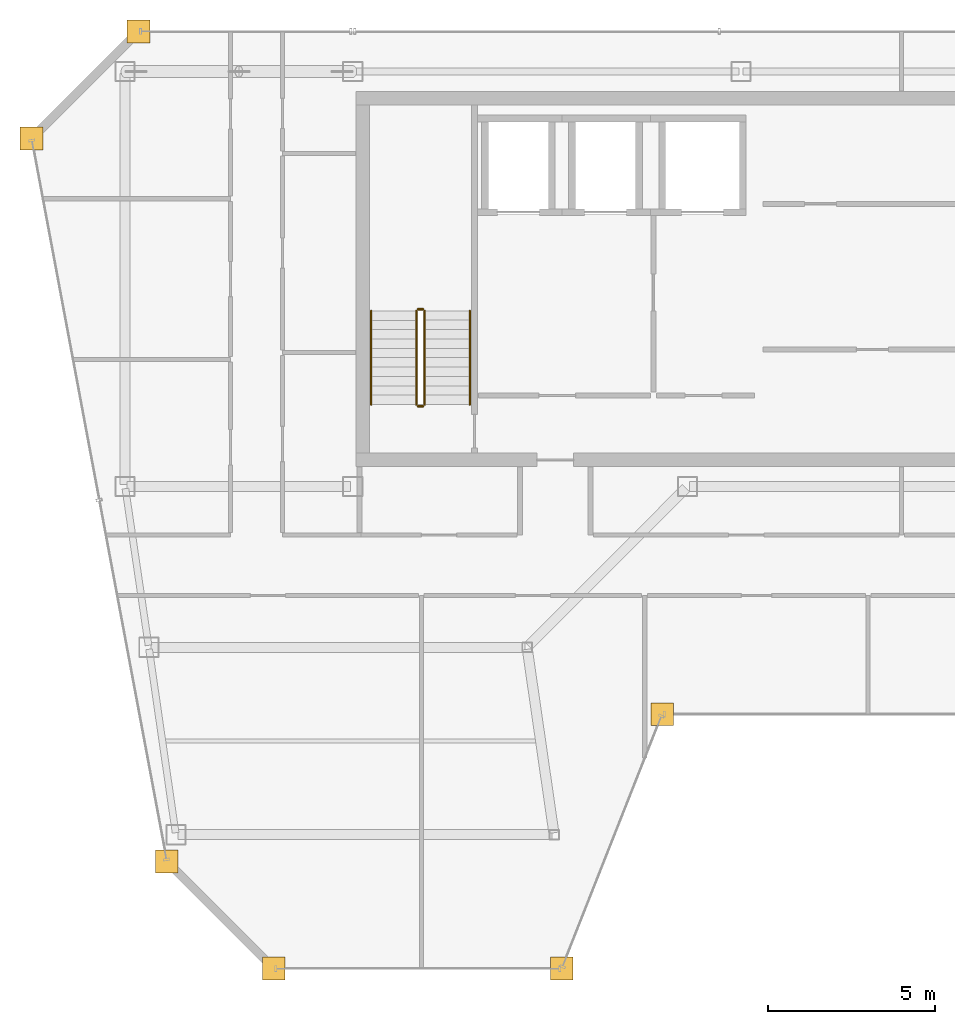
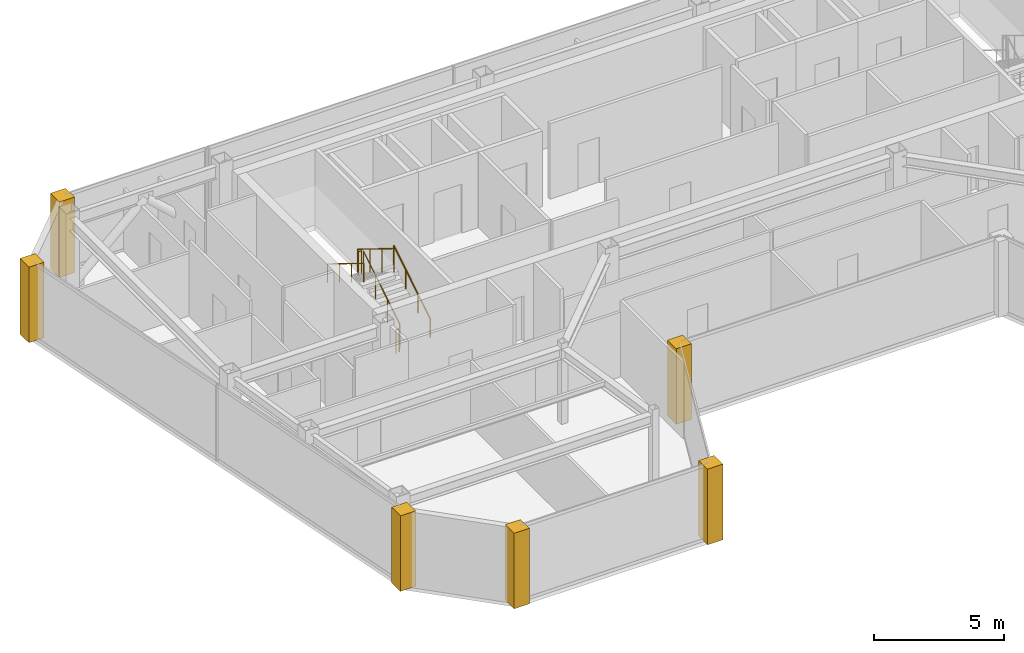
# One storey, part 22 of 23: 6 coverings, 6 railings.
"""IFC4 building model written with IfcOpenShell, lengths in metres."""

from ifc_helpers import new_model, si_unit, direction, frame, origin, origin_2d, place, context, subcontext, project, spatial, polyline, circle, outline, extrude, material, layer, layer_set, type_object, element, save


model = new_model("IFC4")

# Units and contexts
model_context = context("Model", 3, precision=1e-05, world=origin(), true_north=direction((0.0, 1.0)))
body_context = subcontext(model_context, "Body", "Model", "MODEL_VIEW")
ifc_project = project(units=[si_unit("LENGTHUNIT", "METRE"), si_unit("AREAUNIT", "SQUARE_METRE"), si_unit("VOLUMEUNIT", "CUBIC_METRE"), si_unit("PLANEANGLEUNIT", "RADIAN"), si_unit("MASSUNIT", "GRAM", prefix="KILO")], contexts=[model_context])

# Site, building, storey
site_placement = place(None, origin())
site = spatial("IfcSite", under=ifc_project, at=site_placement, CompositionType="ELEMENT")
building_placement = place(site_placement, origin())
building = spatial("IfcBuilding", under=site, at=building_placement, Name="Saevonmaru Cultural Tower", CompositionType="ELEMENT")
storey_placement = place(building_placement, frame((0.0, 0.0, 280.0)))
storey = spatial("IfcBuildingStorey", under=building, at=storey_placement, Name="L66", CompositionType="ELEMENT", Elevation=280.0)

# Coverings
ifc_material_1 = material(Name="Satin Bronze Anodised Aluminium", Category="aluminium")
ifc_layer = layer(ifc_material_1, 0.679931640625, Name="Satin Bronze Anodised Aluminium")
ifc_layer_set = layer_set([ifc_layer], Name="Satin Bronze Anodised Aluminium")
covering_type = type_object("IfcCoveringType", Name="CV-CORNER-CLAD", PredefinedType="CLADDING", material=ifc_layer_set)
covering_1_placement = place(storey_placement, origin())
element("IfcCovering", 1, at=covering_1_placement, inside=storey, type_object=covering_type, Name="L66 Tower Bronze Corner Cladding Pier 1", PredefinedType="CLADDING", context=body_context, shape_type="SweptSolid", body=[
    extrude(outline(polyline([(7.7041015625, 30.860107421875), (8.384033203125, 30.860107421875), (8.384033203125, 31.5400390625), (7.7041015625, 31.5400390625), (7.7041015625, 30.860107421875)])), origin(), (0.0, 0.0, 1.0), 3.550048828125),
])
covering_2_placement = place(storey_placement, origin())
element("IfcCovering", 2, at=covering_2_placement, inside=storey, type_object=covering_type, Name="L66 Tower Bronze Corner Cladding Pier 2", PredefinedType="CLADDING", context=body_context, shape_type="SweptSolid", body=[
    extrude(outline(polyline([(10.904052734375, 27.659912109375), (11.583984375, 27.659912109375), (11.583984375, 28.340087890625), (10.904052734375, 28.340087890625), (10.904052734375, 27.659912109375)])), origin(), (0.0, 0.0, 1.0), 3.550048828125),
])
covering_3_placement = place(storey_placement, origin())
element("IfcCovering", 3, at=covering_3_placement, inside=storey, type_object=covering_type, Name="L66 Tower Bronze Corner Cladding Pier 3", PredefinedType="CLADDING", context=body_context, shape_type="SweptSolid", body=[
    extrude(outline(polyline([(19.50390625, 27.659912109375), (20.18408203125, 27.659912109375), (20.18408203125, 28.340087890625), (19.50390625, 28.340087890625), (19.50390625, 27.659912109375)])), origin(), (0.0, 0.0, 1.0), 3.550048828125),
])
covering_4_placement = place(storey_placement, origin())
element("IfcCovering", 4, at=covering_4_placement, inside=storey, type_object=covering_type, Name="L66 Tower Bronze Corner Cladding Pier 4", PredefinedType="CLADDING", context=body_context, shape_type="SweptSolid", body=[
    extrude(outline(polyline([(22.50390625, 35.260009765625), (23.18408203125, 35.260009765625), (23.18408203125, 35.93994140625), (22.50390625, 35.93994140625), (22.50390625, 35.260009765625)])), origin(), (0.0, 0.0, 1.0), 3.550048828125),
])
covering_5_placement = place(storey_placement, origin())
element("IfcCovering", 5, at=covering_5_placement, inside=storey, type_object=covering_type, Name="L66 Tower Bronze Corner Cladding Pier 11", PredefinedType="CLADDING", context=body_context, shape_type="SweptSolid", body=[
    extrude(outline(polyline([(6.860107421875, 55.659912109375), (7.5400390625, 55.659912109375), (7.5400390625, 56.340087890625), (6.860107421875, 56.340087890625), (6.860107421875, 55.659912109375)])), origin(), (0.0, 0.0, 1.0), 3.550048828125),
])
covering_6_placement = place(storey_placement, origin())
element("IfcCovering", 6, at=covering_6_placement, inside=storey, type_object=covering_type, Name="L66 Tower Bronze Corner Cladding Pier 12", PredefinedType="CLADDING", context=body_context, shape_type="SweptSolid", body=[
    extrude(outline(polyline([(3.659912109375, 52.4599609375), (4.340087890625, 52.4599609375), (4.340087890625, 53.139892578125), (3.659912109375, 53.139892578125), (3.659912109375, 52.4599609375)])), origin(), (0.0, 0.0, 1.0), 3.550048828125),
])

# Railings
ifc_material_2 = material(Name="Architectural Painted Steel", Category="steel")
railing_type_1 = type_object("IfcRailingType", Name="RL-STAIR-GUARD", PredefinedType="GUARDRAIL", material=ifc_material_2)
railing_1_placement = place(storey_placement, frame((15.75, 44.85009765625, 0.172607421875)))
element("IfcRailing", 7, at=railing_1_placement, inside=storey, type_object=railing_type_1, Name="L66 ST-1 stair guard 1", PredefinedType="GUARDRAIL", context=body_context, shape_type="SweptSolid", body=[
    extrude(circle(Radius=0.02392578125, at=origin_2d()), frame((0.0, 0.0, 1.09619140625), z_axis=(0.0, 0.851069175582, 0.525053576669), x_axis=(-1.0, 0.0, 0.0)), (0.0, 0.0, 1.0), 3.289794921875),
    extrude(circle(Radius=0.02099609375, at=origin_2d()), origin(), (0.0, 0.0, 1.0), 1.072021484375),
    extrude(circle(Radius=0.02099609375, at=origin_2d()), frame((0.0, 0.933349609375, 0.57568359375)), (0.0, 0.0, 1.0), 1.072021484375),
    extrude(circle(Radius=0.02099609375, at=origin_2d()), frame((0.0, 1.866455078125, 1.151611328125)), (0.0, 0.0, 1.0), 1.072021484375),
    extrude(circle(Radius=0.02099609375, at=origin_2d()), frame((0.0, 2.7998046875, 1.727294921875)), (0.0, 0.0, 1.0), 1.072021484375),
])
railing_2_placement = place(storey_placement, frame((15.699951171875, 47.699951171875, 1.89990234375)))
element("IfcRailing", 8, at=railing_2_placement, inside=storey, type_object=railing_type_1, Name="L66 ST-1 stair guard 2", PredefinedType="GUARDRAIL", context=body_context, shape_type="SweptSolid", body=[
    extrude(circle(Radius=0.02392578125, at=origin_2d()), frame((0.0, 0.0, 1.09619140625), z_axis=(-1.0, 0.0, 0.0), x_axis=(0.0, -1.0, 0.0)), (0.0, 0.0, 1.0), 0.14990234375),
    extrude(circle(Radius=0.02099609375, at=origin_2d()), origin(), (0.0, 0.0, 1.0), 1.072021484375),
    extrude(circle(Radius=0.02099609375, at=origin_2d()), frame((-0.14990234375, 0.0, 0.0)), (0.0, 0.0, 1.0), 1.072021484375),
])
railing_3_placement = place(storey_placement, frame((15.5, 47.64990234375, 2.07275390625)))
element("IfcRailing", 9, at=railing_3_placement, inside=storey, type_object=railing_type_1, Name="L66 ST-1 stair guard 3", PredefinedType="GUARDRAIL", context=body_context, shape_type="SweptSolid", body=[
    extrude(circle(Radius=0.02392578125, at=origin_2d()), frame((0.0, 0.0, 1.09619140625), z_axis=(0.0, -0.851069175582, 0.525053576669), x_axis=(1.0, 0.0, 0.0)), (0.0, 0.0, 1.0), 3.289794921875),
    extrude(circle(Radius=0.02099609375, at=origin_2d()), origin(), (0.0, 0.0, 1.0), 1.072021484375),
    extrude(circle(Radius=0.02099609375, at=origin_2d()), frame((0.0, -0.933349609375, 0.57568359375)), (0.0, 0.0, 1.0), 1.072021484375),
    extrude(circle(Radius=0.02099609375, at=origin_2d()), frame((0.0, -1.866455078125, 1.151611328125)), (0.0, 0.0, 1.0), 1.072021484375),
    extrude(circle(Radius=0.02099609375, at=origin_2d()), frame((0.0, -2.7998046875, 1.727294921875)), (0.0, 0.0, 1.0), 1.072021484375),
])
railing_4_placement = place(storey_placement, frame((15.699951171875, 44.800048828125, 0.0)))
element("IfcRailing", 10, at=railing_4_placement, inside=storey, type_object=railing_type_1, Name="L66 ST-1 stair guard 4", PredefinedType="GUARDRAIL", context=body_context, shape_type="SweptSolid", body=[
    extrude(circle(Radius=0.02392578125, at=origin_2d()), frame((0.0, 0.0, 1.09619140625), z_axis=(-1.0, 0.0, 0.0), x_axis=(0.0, -1.0, 0.0)), (0.0, 0.0, 1.0), 0.14990234375),
    extrude(circle(Radius=0.02099609375, at=origin_2d()), origin(), (0.0, 0.0, 1.0), 1.072021484375),
    extrude(circle(Radius=0.02099609375, at=origin_2d()), frame((-0.14990234375, 0.0, 0.0)), (0.0, 0.0, 1.0), 1.072021484375),
])
railing_type_2 = type_object("IfcRailingType", Name="RL-STAIR-HANDRAIL", PredefinedType="HANDRAIL", material=ifc_material_1)
railing_5_placement = place(storey_placement, frame((17.10009765625, 44.85009765625, 0.172607421875)))
element("IfcRailing", 11, at=railing_5_placement, inside=storey, type_object=railing_type_2, Name="L66 ST-1 stair handrail 1", PredefinedType="HANDRAIL", context=body_context, shape_type="SweptSolid", body=[
    extrude(circle(Radius=0.02392578125, at=origin_2d()), frame((0.0, 0.0, 0.8759765625), z_axis=(0.0, 0.851069175582, 0.525053576669), x_axis=(-1.0, 0.0, 0.0)), (0.0, 0.0, 1.0), 3.289794921875),
    extrude(circle(Radius=0.02099609375, at=origin_2d()), origin(), (0.0, 0.0, 1.0), 0.851806640625),
    extrude(circle(Radius=0.02099609375, at=origin_2d()), frame((0.0, 0.933349609375, 0.57568359375)), (0.0, 0.0, 1.0), 0.851806640625),
    extrude(circle(Radius=0.02099609375, at=origin_2d()), frame((0.0, 1.866455078125, 1.151611328125)), (0.0, 0.0, 1.0), 0.851806640625),
    extrude(circle(Radius=0.02099609375, at=origin_2d()), frame((0.0, 2.7998046875, 1.727294921875)), (0.0, 0.0, 1.0), 0.851806640625),
])
railing_6_placement = place(storey_placement, frame((14.14990234375, 47.64990234375, 2.07275390625)))
element("IfcRailing", 12, at=railing_6_placement, inside=storey, type_object=railing_type_2, Name="L66 ST-1 stair handrail 2", PredefinedType="HANDRAIL", context=body_context, shape_type="SweptSolid", body=[
    extrude(circle(Radius=0.02392578125, at=origin_2d()), frame((0.0, 0.0, 0.8759765625), z_axis=(0.0, -0.851069175582, 0.525053576669), x_axis=(1.0, 0.0, 0.0)), (0.0, 0.0, 1.0), 3.289794921875),
    extrude(circle(Radius=0.02099609375, at=origin_2d()), origin(), (0.0, 0.0, 1.0), 0.851806640625),
    extrude(circle(Radius=0.02099609375, at=origin_2d()), frame((0.0, -0.933349609375, 0.57568359375)), (0.0, 0.0, 1.0), 0.851806640625),
    extrude(circle(Radius=0.02099609375, at=origin_2d()), frame((0.0, -1.866455078125, 1.151611328125)), (0.0, 0.0, 1.0), 0.851806640625),
    extrude(circle(Radius=0.02099609375, at=origin_2d()), frame((0.0, -2.7998046875, 1.727294921875)), (0.0, 0.0, 1.0), 0.851806640625),
])

save(model, "model.ifc")
